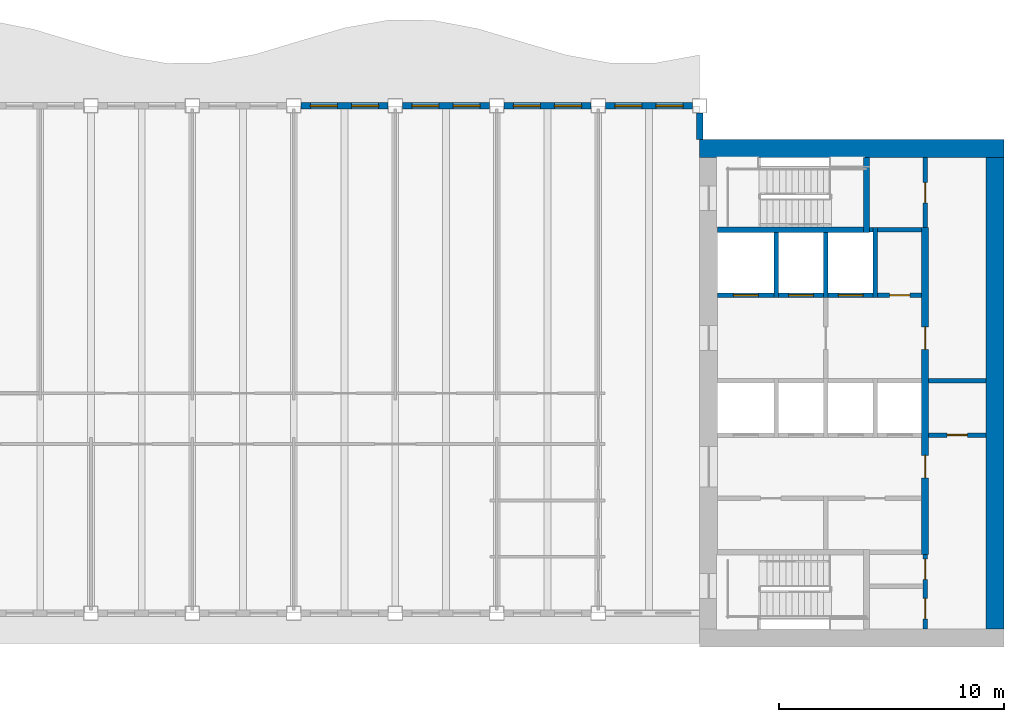
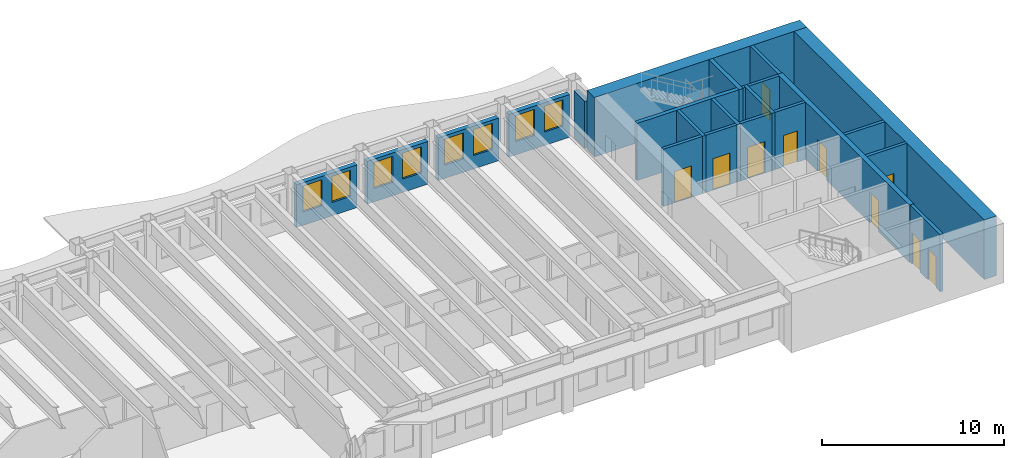
# One storey, part 6 of 12: 23 walls, 10 doors, 8 windows, 18 openings.
"""IFC4 building model written with IfcOpenShell, lengths in metres."""

from ifc_helpers import new_model, si_unit, direction, frame, frame_2d, origin, place, context, subcontext, project, spatial, rectangle, extrude, material, layer, layer_set, type_object, element, fill, save


model = new_model("IFC4")

# Units and contexts
model_context = context("Model", 3, precision=1e-05, world=origin(), true_north=direction((0.0, 1.0)))
body_context = subcontext(model_context, "Body", "Model", "MODEL_VIEW")
ifc_project = project(units=[si_unit("LENGTHUNIT", "METRE"), si_unit("AREAUNIT", "SQUARE_METRE"), si_unit("VOLUMEUNIT", "CUBIC_METRE"), si_unit("PLANEANGLEUNIT", "RADIAN"), si_unit("MASSUNIT", "GRAM", prefix="KILO")], contexts=[model_context])

# Site, building, storey
site_placement = place(None, origin())
site = spatial("IfcSite", under=ifc_project, at=site_placement, CompositionType="ELEMENT")
building_placement = place(site_placement, origin())
building = spatial("IfcBuilding", under=site, at=building_placement, Name="Sennacour Bend Tower", CompositionType="ELEMENT")
storey_placement = place(building_placement, frame((0.0, 0.0, 253.0)))
storey = spatial("IfcBuildingStorey", under=building, at=storey_placement, Name="L58", CompositionType="ELEMENT", Elevation=253.0)

# Walls
ifc_material_1 = material(Name="Concrete C50/60", Category="concrete")
ifc_layer_1 = layer(ifc_material_1, 0.800048828125, Name="Concrete C50/60", Category="concrete")
ifc_layer_set_1 = layer_set([ifc_layer_1], Name="Concrete C50/60")
wall_type_1 = type_object("IfcWallType", Name="Core wall 800 C50/60", PredefinedType="SHEAR", material=ifc_layer_set_1)
wall_1_placement = place(storey_placement, frame((54.0, 22.10009765625, -0.14990234375), z_axis=(0.0, 0.0, 1.0), x_axis=(1.0, 0.0, 0.0)))
element("IfcWall", 1, at=wall_1_placement, inside=storey, type_object=wall_type_1, Name="Core A wall L58 N", PredefinedType="SHEAR", context=body_context, shape_type="SweptSolid", body=[
    extrude(rectangle(XDim=13.5, YDim=0.800048828125, at=frame_2d((6.75, 0.0))), origin(), (0.0, 0.0, 1.0), 4.0),
])
wall_2_placement = place(storey_placement, frame((67.10009765625, 0.800048828125, -0.14990234375), z_axis=(0.0, 0.0, 1.0), x_axis=(0.0, 1.0, 0.0)))
element("IfcWall", 2, at=wall_2_placement, inside=storey, type_object=wall_type_1, Name="Core A wall L58 E", PredefinedType="SHEAR", context=body_context, shape_type="SweptSolid", body=[
    extrude(rectangle(XDim=20.89990234375, YDim=0.800048828125, at=frame_2d((10.449951171875, 0.0))), origin(), (0.0, 0.0, 1.0), 4.0),
])

# Wall, openings, doors
ifc_material_2 = material(Name="Fire-rated plasterboard partition on steel studs", Category="steel")
ifc_layer_2 = layer(ifc_material_2, 0.199951171875, Name="Fire-rated plasterboard partition on steel studs", Category="steel")
ifc_layer_set_2 = layer_set([ifc_layer_2], Name="Fire-rated plasterboard partition on steel studs")
wall_type_2 = type_object("IfcWallType", Name="Rated partition 200", PredefinedType="PARTITIONING", material=ifc_layer_set_2)
wall_3_placement = place(storey_placement, frame((64.0, 0.800048828125, 0.0), z_axis=(0.0, 0.0, 1.0), x_axis=(0.0, 1.0, 0.0)))
wall_3 = element("IfcWall", 3, at=wall_3_placement, inside=storey, type_object=wall_type_2, Name="P-L58-W029", PredefinedType="PARTITIONING", context=body_context, shape_type="SweptSolid", body=[
    extrude(rectangle(XDim=3.300048828125, YDim=0.199951171875, at=frame_2d((1.64990234375, 0.0))), origin(), (0.0, 0.0, 1.0), 3.85009765625),
])
opening_1_placement = place(wall_3_placement, frame((0.449951171875, 0.0, 0.0)))
opening_1 = element("IfcOpeningElement", 4, at=opening_1_placement, cuts=wall_3, Name="Opening SV", PredefinedType="OPENING", context=body_context, shape_type="SweptSolid", body=[
    extrude(rectangle(XDim=0.89990234375, YDim=2.10009765625, at=frame_2d((0.449951171875, 1.050048828125))), frame((0.0, 0.10986328125, 0.0), z_axis=(0.0, -1.0, 0.0), x_axis=(1.0, 0.0, 0.0)), (0.0, 0.0, 1.0), 0.219970703125),
])
opening_2_placement = place(wall_3_placement, frame((2.199951171875, 0.0, 0.0)))
opening_2 = element("IfcOpeningElement", 5, at=opening_2_placement, cuts=wall_3, Name="Opening SV", PredefinedType="OPENING", context=body_context, shape_type="SweptSolid", body=[
    extrude(rectangle(XDim=0.89990234375, YDim=2.10009765625, at=frame_2d((0.449951171875, 1.050048828125))), frame((0.0, 0.10986328125, 0.0), z_axis=(0.0, -1.0, 0.0), x_axis=(1.0, 0.0, 0.0)), (0.0, 0.0, 1.0), 0.219970703125),
])
ifc_material_3 = material(Name="Painted steel", Category="steel")
door_type_1 = type_object("IfcDoorType", Name="DR-SERVICE-900", OperationType="NOTDEFINED", PredefinedType="DOOR", material=ifc_material_3)
door_1_placement = place(opening_1_placement, origin())
door_1 = element("IfcDoor", 6, at=door_1_placement, inside=storey, type_object=door_type_1, Name="Door", OperationType="SINGLE_SWING_LEFT", OverallHeight=2.10009765625, OverallWidth=0.89990234375, PredefinedType="DOOR", context=body_context, shape_type="SweptSolid", body=[
    extrude(rectangle(XDim=0.89990234375, YDim=2.10009765625, at=frame_2d((0.449951171875, 1.050048828125))), frame((0.0, 0.02490234375, 0.0), z_axis=(0.0, -1.0, 0.0), x_axis=(1.0, 0.0, 0.0)), (0.0, 0.0, 1.0), 0.050048828125),
])
fill(opening_1, door_1)
door_2_placement = place(opening_2_placement, origin())
door_2 = element("IfcDoor", 7, at=door_2_placement, inside=storey, type_object=door_type_1, Name="Door", OperationType="SINGLE_SWING_RIGHT", OverallHeight=2.10009765625, OverallWidth=0.89990234375, PredefinedType="DOOR", context=body_context, shape_type="SweptSolid", body=[
    extrude(rectangle(XDim=0.89990234375, YDim=2.10009765625, at=frame_2d((0.449951171875, 1.050048828125))), frame((0.0, 0.02490234375, 0.0), z_axis=(0.0, -1.0, 0.0), x_axis=(1.0, 0.0, 0.0)), (0.0, 0.0, 1.0), 0.050048828125),
])
fill(opening_2, door_2)

# Wall, opening, door
wall_4_placement = place(storey_placement, frame((64.0, 18.60009765625, 0.0), z_axis=(0.0, 0.0, 1.0), x_axis=(0.0, 1.0, 0.0)))
wall_4 = element("IfcWall", 8, at=wall_4_placement, inside=storey, type_object=wall_type_2, Name="P-L58-W031", PredefinedType="PARTITIONING", context=body_context, shape_type="SweptSolid", body=[
    extrude(rectangle(XDim=3.099853515625, YDim=0.199951171875, at=frame_2d((1.5498046875, 0.0))), origin(), (0.0, 0.0, 1.0), 3.85009765625),
])
opening_3_placement = place(wall_4_placement, frame((1.099853515625, 0.0, 0.0)))
opening_3 = element("IfcOpeningElement", 9, at=opening_3_placement, cuts=wall_4, Name="Opening WD", PredefinedType="OPENING", context=body_context, shape_type="SweptSolid", body=[
    extrude(rectangle(XDim=0.89990234375, YDim=2.10009765625, at=frame_2d((0.449951171875, 1.050048828125))), frame((0.0, 0.10986328125, 0.0), z_axis=(0.0, -1.0, 0.0), x_axis=(1.0, 0.0, 0.0)), (0.0, 0.0, 1.0), 0.219970703125),
])
ifc_material_4 = material(Name="Timber", Category="wood")
door_type_2 = type_object("IfcDoorType", Name="DR-WC-900", OperationType="NOTDEFINED", PredefinedType="DOOR", material=ifc_material_4)
door_3_placement = place(opening_3_placement, origin())
door_3 = element("IfcDoor", 10, at=door_3_placement, inside=storey, type_object=door_type_2, Name="Door", OperationType="SINGLE_SWING_LEFT", OverallHeight=2.10009765625, OverallWidth=0.89990234375, PredefinedType="DOOR", context=body_context, shape_type="SweptSolid", body=[
    extrude(rectangle(XDim=0.89990234375, YDim=2.10009765625, at=frame_2d((0.449951171875, 1.050048828125))), frame((0.0, 0.02490234375, 0.0), z_axis=(0.0, -1.0, 0.0), x_axis=(1.0, 0.0, 0.0)), (0.0, 0.0, 1.0), 0.050048828125),
])
fill(opening_3, door_3)

wall_5_placement = place(storey_placement, frame((64.14990234375, 9.39990234375, 0.0), z_axis=(0.0, 0.0, 1.0), x_axis=(1.0, 0.0, 0.0)))
wall_5 = element("IfcWall", 11, at=wall_5_placement, inside=storey, type_object=wall_type_2, Name="P-L58-W045", PredefinedType="PARTITIONING", context=body_context, shape_type="SweptSolid", body=[
    extrude(rectangle(XDim=2.550048828125, YDim=0.199951171875, at=frame_2d((1.27490234375, 0.0))), origin(), (0.0, 0.0, 1.0), 3.85009765625),
])
opening_4_placement = place(wall_5_placement, frame((0.8251953125, 0.0, 0.0)))
opening_4 = element("IfcOpeningElement", 12, at=opening_4_placement, cuts=wall_5, Name="Opening SV", PredefinedType="OPENING", context=body_context, shape_type="SweptSolid", body=[
    extrude(rectangle(XDim=0.89990234375, YDim=2.10009765625, at=frame_2d((0.449951171875, 1.050048828125))), frame((0.0, 0.10986328125, 0.0), z_axis=(0.0, -1.0, 0.0), x_axis=(1.0, 0.0, 0.0)), (0.0, 0.0, 1.0), 0.219970703125),
])
door_4_placement = place(opening_4_placement, origin())
door_4 = element("IfcDoor", 13, at=door_4_placement, inside=storey, type_object=door_type_1, Name="Door", OperationType="SINGLE_SWING_LEFT", OverallHeight=2.10009765625, OverallWidth=0.89990234375, PredefinedType="DOOR", context=body_context, shape_type="SweptSolid", body=[
    extrude(rectangle(XDim=0.89990234375, YDim=2.10009765625, at=frame_2d((0.449951171875, 1.050048828125))), frame((0.0, 0.02490234375, 0.0), z_axis=(0.0, -1.0, 0.0), x_axis=(1.0, 0.0, 0.0)), (0.0, 0.0, 1.0), 0.050048828125),
])
fill(opening_4, door_4)

# Wall
wall_6_placement = place(storey_placement, frame((64.14990234375, 11.800048828125, 0.0), z_axis=(0.0, 0.0, 1.0), x_axis=(1.0, 0.0, 0.0)))
element("IfcWall", 14, at=wall_6_placement, inside=storey, type_object=wall_type_2, Name="P-L58-W048", PredefinedType="PARTITIONING", context=body_context, shape_type="SweptSolid", body=[
    extrude(rectangle(XDim=2.550048828125, YDim=0.199951171875, at=frame_2d((1.27490234375, 0.0))), origin(), (0.0, 0.0, 1.0), 3.85009765625),
])

# Wall, opening, door
wall_7_placement = place(storey_placement, frame((61.89990234375, 15.60009765625, 0.0), z_axis=(0.0, 0.0, 1.0), x_axis=(1.0, 0.0, 0.0)))
wall_7 = element("IfcWall", 15, at=wall_7_placement, inside=storey, type_object=wall_type_2, Name="P-L58-W050", PredefinedType="PARTITIONING", context=body_context, shape_type="SweptSolid", body=[
    extrude(rectangle(XDim=1.9501953125, YDim=0.199951171875, at=frame_2d((0.97509765625, 0.0))), origin(), (0.0, 0.0, 1.0), 3.85009765625),
])
opening_5_placement = place(wall_7_placement, frame((0.525146484375, 0.0, 0.0)))
opening_5 = element("IfcOpeningElement", 16, at=opening_5_placement, cuts=wall_7, Name="Opening SV", PredefinedType="OPENING", context=body_context, shape_type="SweptSolid", body=[
    extrude(rectangle(XDim=0.89990234375, YDim=2.10009765625, at=frame_2d((0.449951171875, 1.050048828125))), frame((0.0, 0.10986328125, 0.0), z_axis=(0.0, -1.0, 0.0), x_axis=(1.0, 0.0, 0.0)), (0.0, 0.0, 1.0), 0.219970703125),
])
door_5_placement = place(opening_5_placement, origin())
door_5 = element("IfcDoor", 17, at=door_5_placement, inside=storey, type_object=door_type_1, Name="Door", OperationType="SINGLE_SWING_LEFT", OverallHeight=2.10009765625, OverallWidth=0.89990234375, PredefinedType="DOOR", context=body_context, shape_type="SweptSolid", body=[
    extrude(rectangle(XDim=0.89990234375, YDim=2.10009765625, at=frame_2d((0.449951171875, 1.050048828125))), frame((0.0, 0.02490234375, 0.0), z_axis=(0.0, -1.0, 0.0), x_axis=(1.0, 0.0, 0.0)), (0.0, 0.0, 1.0), 0.050048828125),
])
fill(opening_5, door_5)

# Walls
wall_8_placement = place(storey_placement, frame((61.89990234375, 18.5, 0.0), z_axis=(0.0, 0.0, 1.0), x_axis=(1.0, 0.0, 0.0)))
element("IfcWall", 18, at=wall_8_placement, inside=storey, type_object=wall_type_2, Name="P-L58-W053", PredefinedType="PARTITIONING", context=body_context, shape_type="SweptSolid", body=[
    extrude(rectangle(XDim=1.9501953125, YDim=0.199951171875, at=frame_2d((0.97509765625, 0.0))), origin(), (0.0, 0.0, 1.0), 3.85009765625),
])
ifc_material_5 = material(Name="Warm limestone cladding", Category="masonry")
ifc_layer_3 = layer(ifc_material_5, 0.050048828125, Name="Warm limestone cladding", Category="masonry")
ifc_material_6 = material(Name="Precast concrete C40/50", Category="concrete")
ifc_layer_4 = layer(ifc_material_6, 0.25, Name="Precast concrete C40/50", Category="concrete")
ifc_layer_set_3 = layer_set([ifc_layer_3, ifc_layer_4], Name="Precast concrete C40/50 with limestone cladding")
wall_type_3 = type_object("IfcWallType", Name="STONE-CLAD PRECAST SPANDREL 300", PredefinedType="STANDARD", material=ifc_layer_set_3)
wall_9_placement = place(storey_placement, frame((54.0, 22.5, 0.0), z_axis=(0.0, 0.0, 1.0), x_axis=(0.0, 1.0, 0.0)))
element("IfcWall", 19, at=wall_9_placement, inside=storey, type_object=wall_type_3, Name="Stone spandrel and pier wall L58 06.00", PredefinedType="STANDARD", context=body_context, shape_type="SweptSolid", body=[
    extrude(rectangle(XDim=1.175048828125, YDim=0.300048828125, at=frame_2d((0.58740234375, 0.0))), origin(), (0.0, 0.0, 1.0), 3.162109375),
])

# Wall, openings, windows
wall_10_placement = place(storey_placement, frame((53.675048828125, 24.0, 0.0), z_axis=(0.0, 0.0, 1.0), x_axis=(-1.0, 0.0, 0.0)))
wall_10 = element("IfcWall", 20, at=wall_10_placement, inside=storey, type_object=wall_type_3, Name="Stone spandrel and pier wall L58 07.00", PredefinedType="STANDARD", context=body_context, shape_type="SweptSolid", body=[
    extrude(rectangle(XDim=3.85009765625, YDim=0.300048828125, at=frame_2d((1.925048828125, 0.0))), origin(), (0.0, 0.0, 1.0), 2.8701171875),
])
opening_6_placement = place(wall_10_placement, frame((0.41259765625, 0.0, 0.89990234375)))
opening_6 = element("IfcOpeningElement", 21, at=opening_6_placement, cuts=wall_10, Name="Opening W16", PredefinedType="OPENING", context=body_context, shape_type="SweptSolid", body=[
    extrude(rectangle(XDim=1.199951171875, YDim=1.75, at=frame_2d((0.60009765625, 0.875))), frame((0.0, 0.16015625, 0.0), z_axis=(0.0, -1.0, 0.0), x_axis=(1.0, 0.0, 0.0)), (0.0, 0.0, 1.0), 0.320068359375),
])
opening_7_placement = place(wall_10_placement, frame((2.237548828125, 0.0, 0.89990234375)))
opening_7 = element("IfcOpeningElement", 22, at=opening_7_placement, cuts=wall_10, Name="Opening W16", PredefinedType="OPENING", context=body_context, shape_type="SweptSolid", body=[
    extrude(rectangle(XDim=1.199951171875, YDim=1.75, at=frame_2d((0.60009765625, 0.875))), frame((0.0, 0.16015625, 0.0), z_axis=(0.0, -1.0, 0.0), x_axis=(1.0, 0.0, 0.0)), (0.0, 0.0, 1.0), 0.320068359375),
])
ifc_material_7 = material(Name="Clear low-emissivity glass", Category="glass")
window_type = type_object("IfcWindowType", Name="WIN-RIBBON-1200x1750", PartitioningType="SINGLE_PANEL", PredefinedType="WINDOW", material=ifc_material_7)
window_1_placement = place(opening_6_placement, origin())
window_1 = element("IfcWindow", 23, at=window_1_placement, inside=storey, type_object=window_type, Name="Ribbon window L58 07.00.0", OverallHeight=1.75, OverallWidth=1.199951171875, PartitioningType="SINGLE_PANEL", PredefinedType="WINDOW", context=body_context, shape_type="SweptSolid", body=[
    extrude(rectangle(XDim=1.199951171875, YDim=1.75, at=frame_2d((0.60009765625, 0.875))), frame((0.0, 0.030029296875, 0.0), z_axis=(0.0, -1.0, 0.0), x_axis=(1.0, 0.0, 0.0)), (0.0, 0.0, 1.0), 0.06005859375),
])
fill(opening_6, window_1)
window_2_placement = place(opening_7_placement, origin())
window_2 = element("IfcWindow", 24, at=window_2_placement, inside=storey, type_object=window_type, Name="Ribbon window L58 07.00.1", OverallHeight=1.75, OverallWidth=1.199951171875, PartitioningType="SINGLE_PANEL", PredefinedType="WINDOW", context=body_context, shape_type="SweptSolid", body=[
    extrude(rectangle(XDim=1.199951171875, YDim=1.75, at=frame_2d((0.60009765625, 0.875))), frame((0.0, 0.030029296875, 0.0), z_axis=(0.0, -1.0, 0.0), x_axis=(1.0, 0.0, 0.0)), (0.0, 0.0, 1.0), 0.06005859375),
])
fill(opening_7, window_2)

wall_11_placement = place(storey_placement, frame((49.175048828125, 24.0, 0.0), z_axis=(0.0, 0.0, 1.0), x_axis=(-1.0, 0.0, 0.0)))
wall_11 = element("IfcWall", 25, at=wall_11_placement, inside=storey, type_object=wall_type_3, Name="Stone spandrel and pier wall L58 07.01", PredefinedType="STANDARD", context=body_context, shape_type="SweptSolid", body=[
    extrude(rectangle(XDim=3.85009765625, YDim=0.300048828125, at=frame_2d((1.925048828125, 0.0))), origin(), (0.0, 0.0, 1.0), 2.8701171875),
])
opening_8_placement = place(wall_11_placement, frame((0.41259765625, 0.0, 0.89990234375)))
opening_8 = element("IfcOpeningElement", 26, at=opening_8_placement, cuts=wall_11, Name="Opening W16", PredefinedType="OPENING", context=body_context, shape_type="SweptSolid", body=[
    extrude(rectangle(XDim=1.199951171875, YDim=1.75, at=frame_2d((0.60009765625, 0.875))), frame((0.0, 0.16015625, 0.0), z_axis=(0.0, -1.0, 0.0), x_axis=(1.0, 0.0, 0.0)), (0.0, 0.0, 1.0), 0.320068359375),
])
opening_9_placement = place(wall_11_placement, frame((2.237548828125, 0.0, 0.89990234375)))
opening_9 = element("IfcOpeningElement", 27, at=opening_9_placement, cuts=wall_11, Name="Opening W16", PredefinedType="OPENING", context=body_context, shape_type="SweptSolid", body=[
    extrude(rectangle(XDim=1.199951171875, YDim=1.75, at=frame_2d((0.60009765625, 0.875))), frame((0.0, 0.16015625, 0.0), z_axis=(0.0, -1.0, 0.0), x_axis=(1.0, 0.0, 0.0)), (0.0, 0.0, 1.0), 0.320068359375),
])
window_3_placement = place(opening_8_placement, origin())
window_3 = element("IfcWindow", 28, at=window_3_placement, inside=storey, type_object=window_type, Name="Ribbon window L58 07.01.0", OverallHeight=1.75, OverallWidth=1.199951171875, PartitioningType="SINGLE_PANEL", PredefinedType="WINDOW", context=body_context, shape_type="SweptSolid", body=[
    extrude(rectangle(XDim=1.199951171875, YDim=1.75, at=frame_2d((0.60009765625, 0.875))), frame((0.0, 0.030029296875, 0.0), z_axis=(0.0, -1.0, 0.0), x_axis=(1.0, 0.0, 0.0)), (0.0, 0.0, 1.0), 0.06005859375),
])
fill(opening_8, window_3)
window_4_placement = place(opening_9_placement, origin())
window_4 = element("IfcWindow", 29, at=window_4_placement, inside=storey, type_object=window_type, Name="Ribbon window L58 07.01.1", OverallHeight=1.75, OverallWidth=1.199951171875, PartitioningType="SINGLE_PANEL", PredefinedType="WINDOW", context=body_context, shape_type="SweptSolid", body=[
    extrude(rectangle(XDim=1.199951171875, YDim=1.75, at=frame_2d((0.60009765625, 0.875))), frame((0.0, 0.030029296875, 0.0), z_axis=(0.0, -1.0, 0.0), x_axis=(1.0, 0.0, 0.0)), (0.0, 0.0, 1.0), 0.06005859375),
])
fill(opening_9, window_4)

wall_12_placement = place(storey_placement, frame((44.675048828125, 24.0, 0.0), z_axis=(0.0, 0.0, 1.0), x_axis=(-1.0, 0.0, 0.0)))
wall_12 = element("IfcWall", 30, at=wall_12_placement, inside=storey, type_object=wall_type_3, Name="Stone spandrel and pier wall L58 07.02", PredefinedType="STANDARD", context=body_context, shape_type="SweptSolid", body=[
    extrude(rectangle(XDim=3.85009765625, YDim=0.300048828125, at=frame_2d((1.925048828125, 0.0))), origin(), (0.0, 0.0, 1.0), 2.8701171875),
])
opening_10_placement = place(wall_12_placement, frame((0.41259765625, 0.0, 0.89990234375)))
opening_10 = element("IfcOpeningElement", 31, at=opening_10_placement, cuts=wall_12, Name="Opening W16", PredefinedType="OPENING", context=body_context, shape_type="SweptSolid", body=[
    extrude(rectangle(XDim=1.199951171875, YDim=1.75, at=frame_2d((0.60009765625, 0.875))), frame((0.0, 0.16015625, 0.0), z_axis=(0.0, -1.0, 0.0), x_axis=(1.0, 0.0, 0.0)), (0.0, 0.0, 1.0), 0.320068359375),
])
opening_11_placement = place(wall_12_placement, frame((2.237548828125, 0.0, 0.89990234375)))
opening_11 = element("IfcOpeningElement", 32, at=opening_11_placement, cuts=wall_12, Name="Opening W16", PredefinedType="OPENING", context=body_context, shape_type="SweptSolid", body=[
    extrude(rectangle(XDim=1.199951171875, YDim=1.75, at=frame_2d((0.60009765625, 0.875))), frame((0.0, 0.16015625, 0.0), z_axis=(0.0, -1.0, 0.0), x_axis=(1.0, 0.0, 0.0)), (0.0, 0.0, 1.0), 0.320068359375),
])
window_5_placement = place(opening_10_placement, origin())
window_5 = element("IfcWindow", 33, at=window_5_placement, inside=storey, type_object=window_type, Name="Ribbon window L58 07.02.0", OverallHeight=1.75, OverallWidth=1.199951171875, PartitioningType="SINGLE_PANEL", PredefinedType="WINDOW", context=body_context, shape_type="SweptSolid", body=[
    extrude(rectangle(XDim=1.199951171875, YDim=1.75, at=frame_2d((0.60009765625, 0.875))), frame((0.0, 0.030029296875, 0.0), z_axis=(0.0, -1.0, 0.0), x_axis=(1.0, 0.0, 0.0)), (0.0, 0.0, 1.0), 0.06005859375),
])
fill(opening_10, window_5)
window_6_placement = place(opening_11_placement, origin())
window_6 = element("IfcWindow", 34, at=window_6_placement, inside=storey, type_object=window_type, Name="Ribbon window L58 07.02.1", OverallHeight=1.75, OverallWidth=1.199951171875, PartitioningType="SINGLE_PANEL", PredefinedType="WINDOW", context=body_context, shape_type="SweptSolid", body=[
    extrude(rectangle(XDim=1.199951171875, YDim=1.75, at=frame_2d((0.60009765625, 0.875))), frame((0.0, 0.030029296875, 0.0), z_axis=(0.0, -1.0, 0.0), x_axis=(1.0, 0.0, 0.0)), (0.0, 0.0, 1.0), 0.06005859375),
])
fill(opening_11, window_6)

wall_13_placement = place(storey_placement, frame((40.175048828125, 24.0, 0.0), z_axis=(0.0, 0.0, 1.0), x_axis=(-1.0, 0.0, 0.0)))
wall_13 = element("IfcWall", 35, at=wall_13_placement, inside=storey, type_object=wall_type_3, Name="Stone spandrel and pier wall L58 07.03", PredefinedType="STANDARD", context=body_context, shape_type="SweptSolid", body=[
    extrude(rectangle(XDim=3.85009765625, YDim=0.300048828125, at=frame_2d((1.925048828125, 0.0))), origin(), (0.0, 0.0, 1.0), 2.8701171875),
])
opening_12_placement = place(wall_13_placement, frame((0.41259765625, 0.0, 0.89990234375)))
opening_12 = element("IfcOpeningElement", 36, at=opening_12_placement, cuts=wall_13, Name="Opening W16", PredefinedType="OPENING", context=body_context, shape_type="SweptSolid", body=[
    extrude(rectangle(XDim=1.199951171875, YDim=1.75, at=frame_2d((0.60009765625, 0.875))), frame((0.0, 0.16015625, 0.0), z_axis=(0.0, -1.0, 0.0), x_axis=(1.0, 0.0, 0.0)), (0.0, 0.0, 1.0), 0.320068359375),
])
opening_13_placement = place(wall_13_placement, frame((2.237548828125, 0.0, 0.89990234375)))
opening_13 = element("IfcOpeningElement", 37, at=opening_13_placement, cuts=wall_13, Name="Opening W16", PredefinedType="OPENING", context=body_context, shape_type="SweptSolid", body=[
    extrude(rectangle(XDim=1.199951171875, YDim=1.75, at=frame_2d((0.60009765625, 0.875))), frame((0.0, 0.16015625, 0.0), z_axis=(0.0, -1.0, 0.0), x_axis=(1.0, 0.0, 0.0)), (0.0, 0.0, 1.0), 0.320068359375),
])
window_7_placement = place(opening_12_placement, origin())
window_7 = element("IfcWindow", 38, at=window_7_placement, inside=storey, type_object=window_type, Name="Ribbon window L58 07.03.0", OverallHeight=1.75, OverallWidth=1.199951171875, PartitioningType="SINGLE_PANEL", PredefinedType="WINDOW", context=body_context, shape_type="SweptSolid", body=[
    extrude(rectangle(XDim=1.199951171875, YDim=1.75, at=frame_2d((0.60009765625, 0.875))), frame((0.0, 0.030029296875, 0.0), z_axis=(0.0, -1.0, 0.0), x_axis=(1.0, 0.0, 0.0)), (0.0, 0.0, 1.0), 0.06005859375),
])
fill(opening_12, window_7)
window_8_placement = place(opening_13_placement, origin())
window_8 = element("IfcWindow", 39, at=window_8_placement, inside=storey, type_object=window_type, Name="Ribbon window L58 07.03.1", OverallHeight=1.75, OverallWidth=1.199951171875, PartitioningType="SINGLE_PANEL", PredefinedType="WINDOW", context=body_context, shape_type="SweptSolid", body=[
    extrude(rectangle(XDim=1.199951171875, YDim=1.75, at=frame_2d((0.60009765625, 0.875))), frame((0.0, 0.030029296875, 0.0), z_axis=(0.0, -1.0, 0.0), x_axis=(1.0, 0.0, 0.0)), (0.0, 0.0, 1.0), 0.06005859375),
])
fill(opening_13, window_8)

# Walls
ifc_layer_5 = layer(ifc_material_1, 0.199951171875, Name="Concrete C50/60", Category="concrete")
ifc_layer_set_4 = layer_set([ifc_layer_5], Name="Concrete C50/60")
wall_type_4 = type_object("IfcWallType", Name="Shaft wall 200", PredefinedType="SOLIDWALL", material=ifc_layer_set_4)
for number, where, z_axis, x_axis, name in (
    (40, (57.39990234375, 15.5, 0.0), (0.0, 0.0, 1.0), (0.0, 1.0, 0.0), "P-L58-W020"),
    (41, (59.60009765625, 15.5, 0.0), (0.0, 0.0, 1.0), (0.0, 1.0, 0.0), "P-L58-W024"),
):
    element("IfcWall", number, at=place(storey_placement, frame(where, z_axis=z_axis, x_axis=x_axis)), inside=storey, type_object=wall_type_4, Name=name, PredefinedType="SOLIDWALL", context=body_context, shape_type="SweptSolid", body=[
        extrude(rectangle(XDim=2.875, YDim=0.199951171875, at=frame_2d((1.4375, 0.0))), origin(), (0.0, 0.0, 1.0), 3.85009765625),
    ])
wall_14_placement = place(storey_placement, frame((61.800048828125, 15.5, 0.0), z_axis=(0.0, 0.0, 1.0), x_axis=(0.0, 1.0, 0.0)))
element("IfcWall", 42, at=wall_14_placement, inside=storey, type_object=wall_type_4, Name="P-L58-W028", PredefinedType="SOLIDWALL", context=body_context, shape_type="SweptSolid", body=[
    extrude(rectangle(XDim=3.10009765625, YDim=0.199951171875, at=frame_2d((1.550048828125, 0.0))), origin(), (0.0, 0.0, 1.0), 3.85009765625),
])

# Wall, opening, door
wall_15_placement = place(storey_placement, frame((54.800048828125, 15.60009765625, 0.0), z_axis=(0.0, 0.0, 1.0), x_axis=(1.0, 0.0, 0.0)))
wall_15 = element("IfcWall", 43, at=wall_15_placement, inside=storey, type_object=wall_type_4, Name="P-L58-W049a", PredefinedType="SOLIDWALL", context=body_context, shape_type="SweptSolid", body=[
    extrude(rectangle(XDim=2.5, YDim=0.199951171875, at=frame_2d((1.25, 0.0))), origin(), (0.0, 0.0, 1.0), 3.85009765625),
])
opening_14_placement = place(wall_15_placement, frame((0.699951171875, 0.0, 0.011962890625)))
opening_14 = element("IfcOpeningElement", 44, at=opening_14_placement, cuts=wall_15, Name="Opening FLD", PredefinedType="OPENING", context=body_context, shape_type="SweptSolid", body=[
    extrude(rectangle(XDim=1.10009765625, YDim=2.10009765625, at=frame_2d((0.550048828125, 1.050048828125))), frame((0.0, 0.10986328125, 0.0), z_axis=(0.0, -1.0, 0.0), x_axis=(1.0, 0.0, 0.0)), (0.0, 0.0, 1.0), 0.219970703125),
])
ifc_material_8 = material(Name="Stainless steel", Category="steel")
door_type_3 = type_object("IfcDoorType", Name="DR-FF-LANDING-1100", OperationType="NOTDEFINED", PredefinedType="DOOR", material=ifc_material_8)
door_6_placement = place(opening_14_placement, origin())
door_6 = element("IfcDoor", 45, at=door_6_placement, inside=storey, type_object=door_type_3, Name="Fire service lift landing door FA1", OperationType="SLIDING_TO_LEFT", OverallHeight=2.10009765625, OverallWidth=1.10009765625, PredefinedType="DOOR", context=body_context, shape_type="SweptSolid", body=[
    extrude(rectangle(XDim=1.10009765625, YDim=2.10009765625, at=frame_2d((0.550048828125, 1.050048828125))), frame((0.0, 0.02490234375, 0.0), z_axis=(0.0, -1.0, 0.0), x_axis=(1.0, 0.0, 0.0)), (0.0, 0.0, 1.0), 0.050048828125),
])
fill(opening_14, door_6)

wall_16_placement = place(storey_placement, frame((57.5, 15.60009765625, 0.0), z_axis=(0.0, 0.0, 1.0), x_axis=(1.0, 0.0, 0.0)))
wall_16 = element("IfcWall", 46, at=wall_16_placement, inside=storey, type_object=wall_type_4, Name="P-L58-W049b", PredefinedType="SOLIDWALL", context=body_context, shape_type="SweptSolid", body=[
    extrude(rectangle(XDim=2.0, YDim=0.199951171875, at=frame_2d((1.0, 0.0))), origin(), (0.0, 0.0, 1.0), 3.85009765625),
])
opening_15_placement = place(wall_16_placement, frame((0.449951171875, 0.0, 0.011962890625)))
opening_15 = element("IfcOpeningElement", 47, at=opening_15_placement, cuts=wall_16, Name="Opening FLD", PredefinedType="OPENING", context=body_context, shape_type="SweptSolid", body=[
    extrude(rectangle(XDim=1.10009765625, YDim=2.10009765625, at=frame_2d((0.550048828125, 1.050048828125))), frame((0.0, 0.10986328125, 0.0), z_axis=(0.0, -1.0, 0.0), x_axis=(1.0, 0.0, 0.0)), (0.0, 0.0, 1.0), 0.219970703125),
])
door_7_placement = place(opening_15_placement, origin())
door_7 = element("IfcDoor", 48, at=door_7_placement, inside=storey, type_object=door_type_3, Name="Fire service lift landing door FA2", OperationType="SLIDING_TO_RIGHT", OverallHeight=2.10009765625, OverallWidth=1.10009765625, PredefinedType="DOOR", context=body_context, shape_type="SweptSolid", body=[
    extrude(rectangle(XDim=1.10009765625, YDim=2.10009765625, at=frame_2d((0.550048828125, 1.050048828125))), frame((0.0, 0.02490234375, 0.0), z_axis=(0.0, -1.0, 0.0), x_axis=(1.0, 0.0, 0.0)), (0.0, 0.0, 1.0), 0.050048828125),
])
fill(opening_15, door_7)

wall_17_placement = place(storey_placement, frame((59.699951171875, 15.60009765625, 0.0), z_axis=(0.0, 0.0, 1.0), x_axis=(1.0, 0.0, 0.0)))
wall_17 = element("IfcWall", 49, at=wall_17_placement, inside=storey, type_object=wall_type_4, Name="P-L58-W049c", PredefinedType="SOLIDWALL", context=body_context, shape_type="SweptSolid", body=[
    extrude(rectangle(XDim=2.0, YDim=0.199951171875, at=frame_2d((1.0, 0.0))), origin(), (0.0, 0.0, 1.0), 3.85009765625),
])
opening_16_placement = place(wall_17_placement, frame((0.449951171875, 0.0, 0.011962890625)))
opening_16 = element("IfcOpeningElement", 50, at=opening_16_placement, cuts=wall_17, Name="Opening LD", PredefinedType="OPENING", context=body_context, shape_type="SweptSolid", body=[
    extrude(rectangle(XDim=1.10009765625, YDim=2.10009765625, at=frame_2d((0.550048828125, 1.050048828125))), frame((0.0, 0.10986328125, 0.0), z_axis=(0.0, -1.0, 0.0), x_axis=(1.0, 0.0, 0.0)), (0.0, 0.0, 1.0), 0.219970703125),
])
door_type_4 = type_object("IfcDoorType", Name="DR-LANDING-1100", OperationType="NOTDEFINED", PredefinedType="DOOR", material=ifc_material_8)
door_8_placement = place(opening_16_placement, origin())
door_8 = element("IfcDoor", 51, at=door_8_placement, inside=storey, type_object=door_type_4, Name="Lift landing door HA5", OperationType="SLIDING_TO_LEFT", OverallHeight=2.10009765625, OverallWidth=1.10009765625, PredefinedType="DOOR", context=body_context, shape_type="SweptSolid", body=[
    extrude(rectangle(XDim=1.10009765625, YDim=2.10009765625, at=frame_2d((0.550048828125, 1.050048828125))), frame((0.0, 0.02490234375, 0.0), z_axis=(0.0, -1.0, 0.0), x_axis=(1.0, 0.0, 0.0)), (0.0, 0.0, 1.0), 0.050048828125),
])
fill(opening_16, door_8)

# Wall
wall_18_placement = place(storey_placement, frame((61.52490234375, 18.5, 0.0), z_axis=(0.0, 0.0, 1.0), x_axis=(1.0, 0.0, 0.0)))
element("IfcWall", 52, at=wall_18_placement, inside=storey, type_object=wall_type_4, Name="P-L58-W052", PredefinedType="SOLIDWALL", context=body_context, shape_type="SweptSolid", body=[
    extrude(rectangle(XDim=0.175048828125, YDim=0.199951171875, at=frame_2d((0.08740234375, 0.0))), origin(), (0.0, 0.0, 1.0), 3.85009765625),
])

# Wall, openings, doors
ifc_material_9 = material(Name="Concrete C60/75", Category="concrete")
ifc_layer_6 = layer(ifc_material_9, 0.300048828125, Name="Concrete C60/75", Category="concrete")
ifc_layer_set_5 = layer_set([ifc_layer_6], Name="Concrete C60/75")
wall_type_5 = type_object("IfcWallType", Name="Spine wall 300", PredefinedType="SHEAR", material=ifc_layer_set_5)
wall_19_placement = place(storey_placement, frame((64.0, 4.10009765625, 0.0), z_axis=(0.0, 0.0, 1.0), x_axis=(0.0, 1.0, 0.0)))
wall_19 = element("IfcWall", 53, at=wall_19_placement, inside=storey, type_object=wall_type_5, Name="P-L58-W030", PredefinedType="SHEAR", context=body_context, shape_type="SweptSolid", body=[
    extrude(rectangle(XDim=14.5, YDim=0.300048828125, at=frame_2d((7.25, 0.0))), origin(), (0.0, 0.0, 1.0), 3.85009765625),
])
opening_17_placement = place(wall_19_placement, frame((3.39990234375, 0.0, 0.0)))
opening_17 = element("IfcOpeningElement", 54, at=opening_17_placement, cuts=wall_19, Name="Opening CD2", PredefinedType="OPENING", context=body_context, shape_type="SweptSolid", body=[
    extrude(rectangle(XDim=1.0, YDim=2.10009765625, at=frame_2d((0.5, 1.050048828125))), frame((0.0, 0.16015625, 0.0), z_axis=(0.0, -1.0, 0.0), x_axis=(1.0, 0.0, 0.0)), (0.0, 0.0, 1.0), 0.320068359375),
])
opening_18_placement = place(wall_19_placement, frame((9.099853515625, 0.0, 0.0)))
opening_18 = element("IfcOpeningElement", 55, at=opening_18_placement, cuts=wall_19, Name="Opening CD2", PredefinedType="OPENING", context=body_context, shape_type="SweptSolid", body=[
    extrude(rectangle(XDim=1.0, YDim=2.10009765625, at=frame_2d((0.5, 1.050048828125))), frame((0.0, 0.16015625, 0.0), z_axis=(0.0, -1.0, 0.0), x_axis=(1.0, 0.0, 0.0)), (0.0, 0.0, 1.0), 0.320068359375),
])
door_type_5 = type_object("IfcDoorType", Name="DR-LOBBY-1000", OperationType="NOTDEFINED", PredefinedType="DOOR", material=ifc_material_3)
door_9_placement = place(opening_17_placement, origin())
door_9 = element("IfcDoor", 56, at=door_9_placement, inside=storey, type_object=door_type_5, Name="Door", OperationType="SINGLE_SWING_LEFT", OverallHeight=2.10009765625, OverallWidth=1.0, PredefinedType="DOOR", context=body_context, shape_type="SweptSolid", body=[
    extrude(rectangle(XDim=1.0, YDim=2.10009765625, at=frame_2d((0.5, 1.050048828125))), frame((0.0, 0.02490234375, 0.0), z_axis=(0.0, -1.0, 0.0), x_axis=(1.0, 0.0, 0.0)), (0.0, 0.0, 1.0), 0.050048828125),
])
fill(opening_17, door_9)
door_10_placement = place(opening_18_placement, origin())
door_10 = element("IfcDoor", 57, at=door_10_placement, inside=storey, type_object=door_type_5, Name="Door", OperationType="SINGLE_SWING_RIGHT", OverallHeight=2.10009765625, OverallWidth=1.0, PredefinedType="DOOR", context=body_context, shape_type="SweptSolid", body=[
    extrude(rectangle(XDim=1.0, YDim=2.10009765625, at=frame_2d((0.5, 1.050048828125))), frame((0.0, 0.02490234375, 0.0), z_axis=(0.0, -1.0, 0.0), x_axis=(1.0, 0.0, 0.0)), (0.0, 0.0, 1.0), 0.050048828125),
])
fill(opening_18, door_10)

# Walls
ifc_layer_7 = layer(ifc_material_9, 0.25, Name="Concrete C60/75", Category="concrete")
ifc_layer_set_6 = layer_set([ifc_layer_7], Name="Concrete C60/75")
wall_type_6 = type_object("IfcWallType", Name="Stair wall 250", PredefinedType="SHEAR", material=ifc_layer_set_6)
wall_20_placement = place(storey_placement, frame((61.39990234375, 18.375, 0.0), z_axis=(0.0, 0.0, 1.0), x_axis=(0.0, 1.0, 0.0)))
element("IfcWall", 58, at=wall_20_placement, inside=storey, type_object=wall_type_6, Name="P-L58-W026", PredefinedType="SHEAR", context=body_context, shape_type="SweptSolid", body=[
    extrude(rectangle(XDim=3.324951171875, YDim=0.25, at=frame_2d((1.66259765625, 0.0))), origin(), (0.0, 0.0, 1.0), 3.85009765625),
])
wall_21_placement = place(storey_placement, frame((54.800048828125, 18.5, 0.0), z_axis=(0.0, 0.0, 1.0), x_axis=(1.0, 0.0, 0.0)))
element("IfcWall", 59, at=wall_21_placement, inside=storey, type_object=wall_type_6, Name="P-L58-W051", PredefinedType="SHEAR", context=body_context, shape_type="SweptSolid", body=[
    extrude(rectangle(XDim=6.474853515625, YDim=0.25, at=frame_2d((3.2373046875, 0.0))), origin(), (0.0, 0.0, 1.0), 3.85009765625),
])

save(model, "model.ifc")
